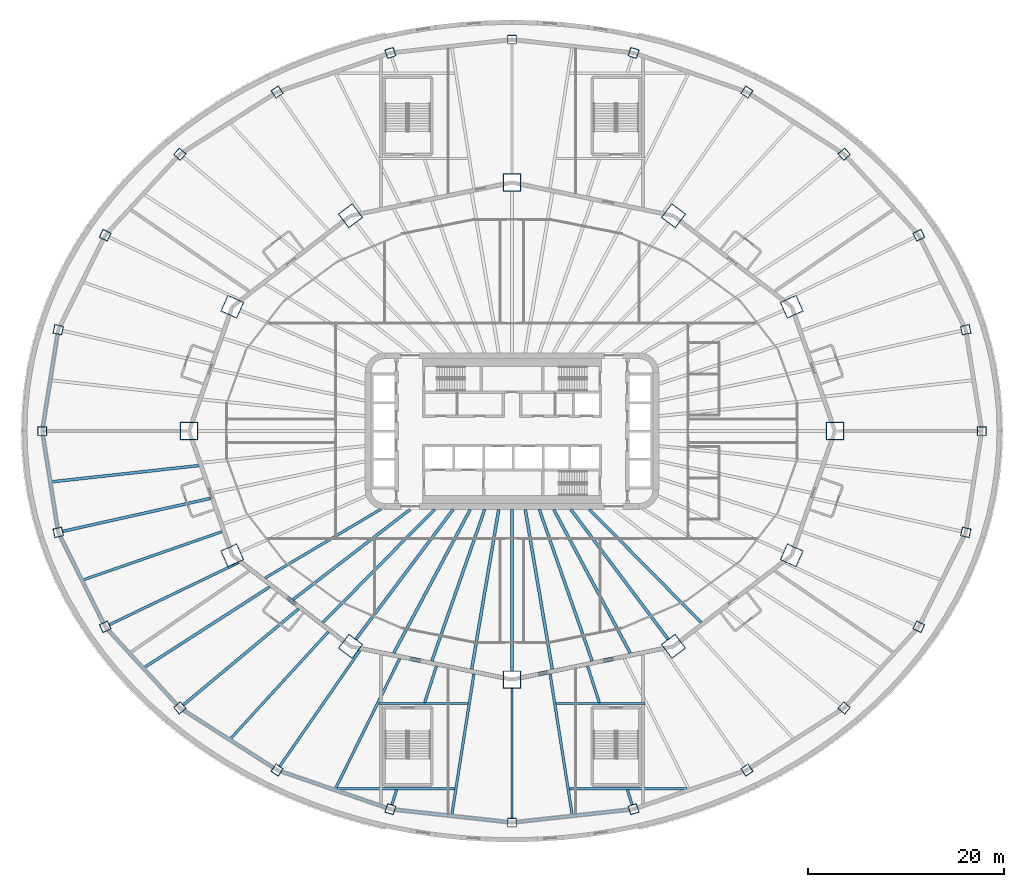
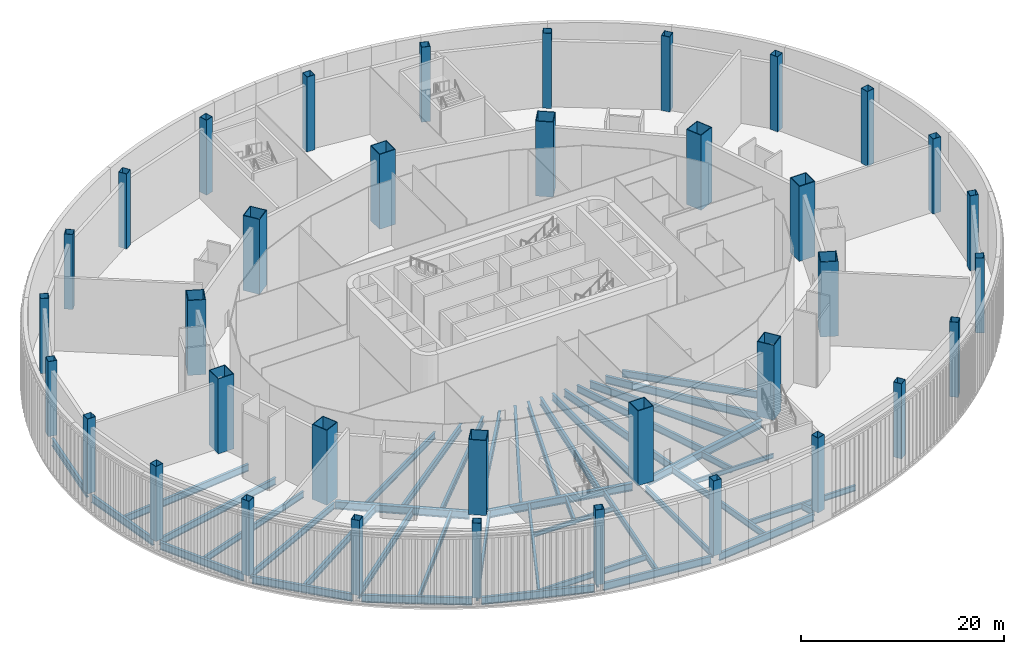
# One storey, part 1 of 35: 44 beams, 36 columns.
"""IFC4 building model written with IfcOpenShell, lengths in metres."""

from ifc_helpers import new_model, si_unit, direction, frame, origin, origin_2d, place, context, subcontext, project, spatial, hollow_rectangle, i_section, extrude, material, material_profile, profile_set, type_object, element, save


model = new_model("IFC4")

# Units and contexts
model_context = context("Model", 3, precision=1e-05, world=origin(), true_north=direction((0.0, 1.0)))
body_context = subcontext(model_context, "Body", "Model", "MODEL_VIEW")
ifc_project = project(units=[si_unit("LENGTHUNIT", "METRE"), si_unit("AREAUNIT", "SQUARE_METRE"), si_unit("VOLUMEUNIT", "CUBIC_METRE"), si_unit("PLANEANGLEUNIT", "RADIAN"), si_unit("MASSUNIT", "GRAM", prefix="KILO")], contexts=[model_context])

# Site, building, storey
site_placement = place(None, origin())
site = spatial("IfcSite", under=ifc_project, at=site_placement, CompositionType="ELEMENT")
building_placement = place(site_placement, origin())
building = spatial("IfcBuilding", under=site, at=building_placement, Name="Sahrelin Media Tower", CompositionType="ELEMENT")
storey_placement = place(building_placement, frame((0.0, 0.0, 8.0)))
storey = spatial("IfcBuildingStorey", under=building, at=storey_placement, Name="L01", CompositionType="ELEMENT", Elevation=8.0)

# Columns
ifc_material_1 = material(Name="Steel S460", Category="steel")
ifc_material_profile_1 = material_profile(ifc_material_1, hollow_rectangle(XDim=1.800048828125, YDim=1.800048828125, WallThickness=0.080078125, at=origin_2d()), Name="Mega column MC1")
ifc_profile_set_1 = profile_set([ifc_material_profile_1], Name="Steel S460")
column_type_1 = type_object("IfcColumnType", Name="Mega column MC1", PredefinedType="COLUMN", material=ifc_profile_set_1)
for number, where, z_axis, x_axis, name in (
    (1, (33.0, 0.0, 0.0), (0.0, 0.0, 1.0), (1.0, 0.0, 0.0), "Mega column MC-00"),
    (2, (28.578857421875, 12.699951171875, 0.0), (0.0, 0.0, 1.0), (0.913831317054, 0.40609398416, 0.0), "Mega column MC-01"),
    (3, (16.5, 21.9970703125, 0.0), (0.0, 0.0, 1.0), (0.600051693363, 0.799961227368, 0.0), "Mega column MC-02"),
    (4, (0.0, 25.39990234375, 0.0), (0.0, 0.0, 1.0), (0.0, 1.0, 0.0), "Mega column MC-03"),
    (5, (-16.5, 21.9970703125, 0.0), (0.0, 0.0, 1.0), (-0.600051693363, 0.799961227368, 0.0), "Mega column MC-04"),
    (6, (-28.578857421875, 12.699951171875, 0.0), (0.0, 0.0, 1.0), (-0.913831317054, 0.40609398416, 0.0), "Mega column MC-05"),
    (7, (-33.0, 0.0, 0.0), (0.0, 0.0, 1.0), (-1.0, 0.0, 0.0), "Mega column MC-06"),
    (8, (-28.578857421875, -12.699951171875, 0.0), (0.0, 0.0, 1.0), (-0.913831317054, -0.40609398416, 0.0), "Mega column MC-07"),
    (9, (-16.5, -21.9970703125, 0.0), (0.0, 0.0, 1.0), (-0.600051693363, -0.799961227368, 0.0), "Mega column MC-08"),
    (10, (0.0, -25.39990234375, 0.0), (0.0, 0.0, 1.0), (0.0, -1.0, 0.0), "Mega column MC-09"),
    (11, (16.5, -21.9970703125, 0.0), (0.0, 0.0, 1.0), (0.600051693363, -0.799961227368, 0.0), "Mega column MC-10"),
    (12, (28.578857421875, -12.699951171875, 0.0), (0.0, 0.0, 1.0), (0.913831317054, -0.40609398416, 0.0), "Mega column MC-11"),
):
    element("IfcColumn", number, at=place(storey_placement, frame(where, z_axis=z_axis, x_axis=x_axis)), inside=storey, type_object=column_type_1, Name=name, PredefinedType="COLUMN", context=body_context, shape_type="SweptSolid", body=[
        extrude(hollow_rectangle(XDim=1.800048828125, YDim=1.800048828125, WallThickness=0.080078125, at=origin_2d()), origin(), (0.0, 0.0, 1.0), 9.0),
    ])
ifc_material_profile_2 = material_profile(ifc_material_1, hollow_rectangle(XDim=0.89990234375, YDim=0.89990234375, WallThickness=0.0400390625, at=origin_2d()), Name="Podium column PC1")
ifc_profile_set_2 = profile_set([ifc_material_profile_2], Name="Steel S460")
column_type_2 = type_object("IfcColumnType", Name="Podium column PC1", PredefinedType="COLUMN", material=ifc_profile_set_2)
for number, where, z_axis, x_axis, name in (
    (13, (48.0, 0.0, 0.0), (0.0, 0.0, 1.0), (1.0, 0.0, 0.0), "Podium column PC-00"),
    (14, (46.364501953125, 10.352783203125, 0.0), (0.0, 0.0, 1.0), (0.975965471253, 0.217925214058, 0.0), "Podium column PC-01"),
    (15, (41.569091796875, 20.0, 0.0), (0.0, 0.0, 1.0), (0.901126969284, 0.433555285089, 0.0), "Podium column PC-02"),
    (16, (33.941162109375, 28.2841796875, 0.0), (0.0, 0.0, 1.0), (0.768220956602, 0.640184787259, 0.0), "Podium column PC-03"),
    (17, (24.0, 34.64111328125, 0.0), (0.0, 0.0, 1.0), (0.569494740726, 0.821994975827, 0.0), "Podium column PC-04"),
    (18, (12.42333984375, 38.636962890625, 0.0), (0.0, 0.0, 1.0), (0.306104074477, 0.951998054404, 0.0), "Podium column PC-05"),
    (19, (0.0, 40.0, 0.0), (0.0, 0.0, 1.0), (0.0, 1.0, 0.0), "Podium column PC-06"),
    (20, (-12.42333984375, 38.636962890625, 0.0), (0.0, 0.0, 1.0), (-0.306104074477, 0.951998054404, 0.0), "Podium column PC-07"),
    (21, (-24.0, 34.64111328125, 0.0), (0.0, 0.0, 1.0), (-0.569494740726, 0.821994975827, 0.0), "Podium column PC-08"),
    (22, (-33.941162109375, 28.2841796875, 0.0), (0.0, 0.0, 1.0), (-0.768220956602, 0.640184787259, 0.0), "Podium column PC-09"),
    (23, (-41.569091796875, 20.0, 0.0), (0.0, 0.0, 1.0), (-0.901126969284, 0.433555285089, 0.0), "Podium column PC-10"),
    (24, (-46.364501953125, 10.352783203125, 0.0), (0.0, 0.0, 1.0), (-0.975965471253, 0.217925214058, 0.0), "Podium column PC-11"),
    (25, (-48.0, 0.0, 0.0), (0.0, 0.0, 1.0), (-1.0, 0.0, 0.0), "Podium column PC-12"),
    (26, (-46.364501953125, -10.352783203125, 0.0), (0.0, 0.0, 1.0), (-0.975965471253, -0.217925214058, 0.0), "Podium column PC-13"),
    (27, (-41.569091796875, -20.0, 0.0), (0.0, 0.0, 1.0), (-0.901126969284, -0.433555285089, 0.0), "Podium column PC-14"),
    (28, (-33.941162109375, -28.2841796875, 0.0), (0.0, 0.0, 1.0), (-0.768220956602, -0.640184787259, 0.0), "Podium column PC-15"),
    (29, (-24.0, -34.64111328125, 0.0), (0.0, 0.0, 1.0), (-0.569494740726, -0.821994975827, 0.0), "Podium column PC-16"),
    (30, (-12.42333984375, -38.636962890625, 0.0), (0.0, 0.0, 1.0), (-0.306104074477, -0.951998054404, 0.0), "Podium column PC-17"),
    (31, (0.0, -40.0, 0.0), (0.0, 0.0, 1.0), (0.0, -1.0, 0.0), "Podium column PC-18"),
    (32, (12.42333984375, -38.636962890625, 0.0), (0.0, 0.0, 1.0), (0.306104074477, -0.951998054404, 0.0), "Podium column PC-19"),
    (33, (24.0, -34.64111328125, 0.0), (0.0, 0.0, 1.0), (0.569494740726, -0.821994975827, 0.0), "Podium column PC-20"),
    (34, (33.941162109375, -28.2841796875, 0.0), (0.0, 0.0, 1.0), (0.768220956602, -0.640184787259, 0.0), "Podium column PC-21"),
    (35, (41.569091796875, -20.0, 0.0), (0.0, 0.0, 1.0), (0.901126969284, -0.433555285089, 0.0), "Podium column PC-22"),
    (36, (46.364501953125, -10.352783203125, 0.0), (0.0, 0.0, 1.0), (0.975965471253, -0.217925214058, 0.0), "Podium column PC-23"),
):
    element("IfcColumn", number, at=place(storey_placement, frame(where, z_axis=z_axis, x_axis=x_axis)), inside=storey, type_object=column_type_2, Name=name, PredefinedType="COLUMN", context=body_context, shape_type="SweptSolid", body=[
        extrude(hollow_rectangle(XDim=0.89990234375, YDim=0.89990234375, WallThickness=0.0400390625, at=origin_2d()), origin(), (0.0, 0.0, 1.0), 9.0),
    ])

# Beams
ifc_material_2 = material(Name="Steel S355", Category="steel")
ifc_material_profile_3 = material_profile(ifc_material_2, i_section(OverallWidth=0.208740234375, OverallDepth=0.5283203125, WebThickness=0.009521484375, FlangeThickness=0.01318359375, FilletRadius=0.0126953125, at=origin_2d()), Name="UB 533x210x82")
ifc_profile_set_3 = profile_set([ifc_material_profile_3], Name="Steel S355")
beam_type_1 = type_object("IfcBeamType", Name="Header beam HB6", PredefinedType="BEAM", material=ifc_profile_set_3)
for number, where, z_axis, x_axis, name in (
    (37, (-13.59814453125, -27.85009765625, -0.464111328125), (1.0, 0.0, 0.0), (0.0, 1.0, 0.0), "Header beam L01-05"),
    (38, (4.50146484375, -27.85009765625, -0.464111328125), (1.0, 0.0, 0.0), (0.0, 1.0, 0.0), "Header beam L01-07"),
):
    element("IfcBeam", number, at=place(storey_placement, frame(where, z_axis=z_axis, x_axis=x_axis)), inside=storey, type_object=beam_type_1, Name=name, PredefinedType="BEAM", context=body_context, shape_type="SweptSolid", body=[
        extrude(i_section(OverallWidth=0.208740234375, OverallDepth=0.5283203125, WebThickness=0.009521484375, FlangeThickness=0.01318359375, FilletRadius=0.0126953125, at=origin_2d()), origin(), (0.0, 0.0, 1.0), 9.0966796875),
    ])
ifc_material_profile_4 = material_profile(ifc_material_2, i_section(OverallWidth=0.2529296875, OverallDepth=0.677978515625, WebThickness=0.01171875, FlangeThickness=0.01611328125, FilletRadius=0.01513671875, at=origin_2d()), Name="UB 686x254x125")
ifc_profile_set_4 = profile_set([ifc_material_profile_4], Name="Steel S355")
beam_type_2 = type_object("IfcBeamType", Name="Header beam HB8", PredefinedType="BEAM", material=ifc_profile_set_4)
for number, where, z_axis, x_axis, name in (
    (39, (-5.86572265625, -36.550048828125, -0.538818359375), (-1.0, 0.0, 0.0), (0.0, -1.0, 0.0), "Header beam L01-06"),
    (40, (17.892333984375, -36.550048828125, -0.538818359375), (-1.0, 0.0, 0.0), (0.0, -1.0, 0.0), "Header beam L01-08"),
):
    element("IfcBeam", number, at=place(storey_placement, frame(where, z_axis=z_axis, x_axis=x_axis)), inside=storey, type_object=beam_type_2, Name=name, PredefinedType="BEAM", context=body_context, shape_type="SweptSolid", body=[
        extrude(i_section(OverallWidth=0.2529296875, OverallDepth=0.677978515625, WebThickness=0.01171875, FlangeThickness=0.01611328125, FilletRadius=0.01513671875, at=origin_2d()), origin(), (0.0, 0.0, 1.0), 12.026611328125),
    ])
ifc_material_profile_5 = material_profile(ifc_material_2, i_section(OverallWidth=0.30322265625, OverallDepth=0.903076171875, WebThickness=0.01513671875, FlangeThickness=0.020263671875, FilletRadius=0.01904296875, at=origin_2d()), Name="UB 914x305x201")
ifc_profile_set_5 = profile_set([ifc_material_profile_5], Name="Steel S355")
beam_type_3 = type_object("IfcBeamType", Name="Podium edge girder PE11", PredefinedType="BEAM", material=ifc_profile_set_5)
for number, where, z_axis, x_axis, name in (
    (41, (-46.434814453125, 9.907470703125, -0.651611328125), (-0.156048991104, -0.987749316565, 0.0), (0.987749316565, -0.156048991104, 0.0), "Podium edge girder L01-12"),
    (42, (-47.928955078125, -0.449951171875, -0.651611328125), (0.156048991104, -0.987749316565, 0.0), (0.987749316565, 0.156048991104, 0.0), "Podium edge girder L01-13"),
):
    element("IfcBeam", number, at=place(storey_placement, frame(where, z_axis=z_axis, x_axis=x_axis)), inside=storey, type_object=beam_type_3, Name=name, PredefinedType="BEAM", context=body_context, shape_type="SweptSolid", body=[
        extrude(i_section(OverallWidth=0.30322265625, OverallDepth=0.903076171875, WebThickness=0.01513671875, FlangeThickness=0.020263671875, FilletRadius=0.01904296875, at=origin_2d()), origin(), (0.0, 0.0, 1.0), 9.57470703125),
    ])
beam_1_placement = place(storey_placement, frame((-46.158203125, -10.767822265625, -0.651611328125), z_axis=(0.445112588569, -0.895474613541, 0.0), x_axis=(0.895474613541, 0.445112588569, 0.0)))
element("IfcBeam", 43, at=beam_1_placement, inside=storey, type_object=beam_type_3, Name="Podium edge girder L01-14", PredefinedType="BEAM", context=body_context, shape_type="SweptSolid", body=[
    extrude(i_section(OverallWidth=0.30322265625, OverallDepth=0.903076171875, WebThickness=0.01513671875, FlangeThickness=0.020263671875, FilletRadius=0.01904296875, at=origin_2d()), origin(), (0.0, 0.0, 1.0), 9.859619140625),
])
beam_2_placement = place(storey_placement, frame((-41.25048828125, -20.34619140625, -0.651611328125), z_axis=(0.677370529771, -0.735642008995, 0.0), x_axis=(0.735642008995, 0.677370529771, 0.0)))
element("IfcBeam", 44, at=beam_2_placement, inside=storey, type_object=beam_type_3, Name="Podium edge girder L01-15", PredefinedType="BEAM", context=body_context, shape_type="SweptSolid", body=[
    extrude(i_section(OverallWidth=0.30322265625, OverallDepth=0.903076171875, WebThickness=0.01513671875, FlangeThickness=0.020263671875, FilletRadius=0.01904296875, at=origin_2d()), origin(), (0.0, 0.0, 1.0), 10.340087890625),
])
beam_3_placement = place(storey_placement, frame((-33.54345703125, -28.53857421875, -0.651611328125), z_axis=(0.842485743715, -0.538718638657, 0.0), x_axis=(0.538718638657, 0.842485743715, 0.0)))
element("IfcBeam", 45, at=beam_3_placement, inside=storey, type_object=beam_type_3, Name="Podium edge girder L01-16", PredefinedType="BEAM", context=body_context, shape_type="SweptSolid", body=[
    extrude(i_section(OverallWidth=0.30322265625, OverallDepth=0.903076171875, WebThickness=0.01513671875, FlangeThickness=0.020263671875, FilletRadius=0.01904296875, at=origin_2d()), origin(), (0.0, 0.0, 1.0), 10.87744140625),
])
beam_4_placement = place(storey_placement, frame((-23.55810546875, -34.79345703125, -0.651611328125), z_axis=(0.94527240249, -0.32628221694, 0.0), x_axis=(0.32628221694, 0.94527240249, 0.0)))
element("IfcBeam", 46, at=beam_4_placement, inside=storey, type_object=beam_type_3, Name="Podium edge girder L01-17", PredefinedType="BEAM", context=body_context, shape_type="SweptSolid", body=[
    extrude(i_section(OverallWidth=0.30322265625, OverallDepth=0.903076171875, WebThickness=0.01513671875, FlangeThickness=0.020263671875, FilletRadius=0.01904296875, at=origin_2d()), origin(), (0.0, 0.0, 1.0), 11.329345703125),
])
for number, where, z_axis, x_axis, name in (
    (47, (-11.966796875, -38.68701171875, -0.651611328125), (0.994034160473, -0.109069188193, 0.0), (0.109069188193, 0.994034160473, 0.0), "Podium edge girder L01-18"),
    (48, (0.449951171875, -39.95068359375, -0.651611328125), (0.994034160473, 0.109069188193, 0.0), (-0.109069188193, 0.994034160473, 0.0), "Podium edge girder L01-19"),
):
    element("IfcBeam", number, at=place(storey_placement, frame(where, z_axis=z_axis, x_axis=x_axis)), inside=storey, type_object=beam_type_3, Name=name, PredefinedType="BEAM", context=body_context, shape_type="SweptSolid", body=[
        extrude(i_section(OverallWidth=0.30322265625, OverallDepth=0.903076171875, WebThickness=0.01513671875, FlangeThickness=0.020263671875, FilletRadius=0.01904296875, at=origin_2d()), origin(), (0.0, 0.0, 1.0), 11.5859375),
    ])
ifc_material_profile_6 = material_profile(ifc_material_2, i_section(OverallWidth=0.41845703125, OverallDepth=0.911865234375, WebThickness=0.019287109375, FlangeThickness=0.031982421875, FilletRadius=0.024169921875, at=origin_2d()), Name="UB 914x419x343")
ifc_profile_set_6 = profile_set([ifc_material_profile_6], Name="Steel S355")
beam_type_4 = type_object("IfcBeamType", Name="Podium ring girder PG12", PredefinedType="BEAM", material=ifc_profile_set_6)
beam_5_placement = place(storey_placement, frame((-27.767578125, -13.324462890625, -0.656005859375), z_axis=(0.792445416108, -0.609942835428, 0.0), x_axis=(0.609942835428, 0.792445416108, 0.0)))
element("IfcBeam", 49, at=beam_5_placement, inside=storey, type_object=beam_type_4, Name="Podium girder L01-08", PredefinedType="BEAM", context=body_context, shape_type="SweptSolid", body=[
    extrude(i_section(OverallWidth=0.41845703125, OverallDepth=0.911865234375, WebThickness=0.019287109375, FlangeThickness=0.031982421875, FilletRadius=0.024169921875, at=origin_2d()), origin(), (0.0, 0.0, 1.0), 13.318603515625),
])
for number, where, z_axis, x_axis, name in (
    (50, (-15.525634765625, -22.197998046875, -0.656005859375), (0.979388513106, -0.201985495508, 0.0), (0.201985495508, 0.979388513106, 0.0), "Podium girder L01-09"),
    (51, (0.89990234375, -25.21435546875, -0.656005859375), (0.979388513106, 0.201985495508, 0.0), (-0.201985495508, 0.979388513106, 0.0), "Podium girder L01-10"),
):
    element("IfcBeam", number, at=place(storey_placement, frame(where, z_axis=z_axis, x_axis=x_axis)), inside=storey, type_object=beam_type_4, Name=name, PredefinedType="BEAM", context=body_context, shape_type="SweptSolid", body=[
        extrude(i_section(OverallWidth=0.41845703125, OverallDepth=0.911865234375, WebThickness=0.019287109375, FlangeThickness=0.031982421875, FilletRadius=0.024169921875, at=origin_2d()), origin(), (0.0, 0.0, 1.0), 14.93359375),
    ])
ifc_material_profile_7 = material_profile(ifc_material_2, i_section(OverallWidth=0.291748046875, OverallDepth=0.8349609375, WebThickness=0.013916015625, FlangeThickness=0.018798828125, FilletRadius=0.017822265625, at=origin_2d()), Name="UB 838x292x176")
ifc_profile_set_7 = profile_set([ifc_material_profile_7], Name="Steel S355")
beam_type_5 = type_object("IfcBeamType", Name="Radial primary beam PB10", PredefinedType="BEAM", material=ifc_profile_set_7)
beam_6_placement = place(storey_placement, frame((-10.393798828125, -8.0, -0.617431640625), z_axis=(-0.79244196099, -0.609947324335, 0.0), x_axis=(0.609947324335, -0.79244196099, 0.0)))
element("IfcBeam", 52, at=beam_6_placement, inside=storey, type_object=beam_type_5, Name="Radial beam L01-16", PredefinedType="BEAM", context=body_context, shape_type="SweptSolid", body=[
    extrude(i_section(OverallWidth=0.291748046875, OverallDepth=0.8349609375, WebThickness=0.013916015625, FlangeThickness=0.018798828125, FilletRadius=0.017822265625, at=origin_2d()), origin(), (0.0, 0.0, 1.0), 15.1103515625),
])
beam_7_placement = place(storey_placement, frame((-2.784912109375, -8.0, -0.617431640625), z_axis=(-0.328776215552, -0.944407856854, 0.0), x_axis=(0.944407856854, -0.328776215552, 0.0)))
element("IfcBeam", 53, at=beam_7_placement, inside=storey, type_object=beam_type_5, Name="Radial beam L01-18", PredefinedType="BEAM", context=body_context, shape_type="SweptSolid", body=[
    extrude(i_section(OverallWidth=0.291748046875, OverallDepth=0.8349609375, WebThickness=0.013916015625, FlangeThickness=0.018798828125, FilletRadius=0.017822265625, at=origin_2d()), origin(), (0.0, 0.0, 1.0), 16.41162109375),
])
beam_8_placement = place(storey_placement, frame((0.0, -8.0, -0.617431640625), z_axis=(0.0, -1.0, 0.0), x_axis=(1.0, 0.0, 0.0)))
element("IfcBeam", 54, at=beam_8_placement, inside=storey, type_object=beam_type_5, Name="Radial beam L01-19", PredefinedType="BEAM", context=body_context, shape_type="SweptSolid", body=[
    extrude(i_section(OverallWidth=0.291748046875, OverallDepth=0.8349609375, WebThickness=0.013916015625, FlangeThickness=0.018798828125, FilletRadius=0.017822265625, at=origin_2d()), origin(), (0.0, 0.0, 1.0), 16.5),
])
beam_9_placement = place(storey_placement, frame((2.784912109375, -8.0, -0.617431640625), z_axis=(0.328776215552, -0.944407856854, 0.0), x_axis=(0.944407856854, 0.328776215552, 0.0)))
element("IfcBeam", 55, at=beam_9_placement, inside=storey, type_object=beam_type_5, Name="Radial beam L01-20", PredefinedType="BEAM", context=body_context, shape_type="SweptSolid", body=[
    extrude(i_section(OverallWidth=0.291748046875, OverallDepth=0.8349609375, WebThickness=0.013916015625, FlangeThickness=0.018798828125, FilletRadius=0.017822265625, at=origin_2d()), origin(), (0.0, 0.0, 1.0), 16.41162109375),
])
beam_10_placement = place(storey_placement, frame((-30.825439453125, -6.883056640625, -0.617431640625), z_axis=(-0.975966755314, -0.217919463385, 0.0), x_axis=(0.217919463385, -0.975966755314, 0.0)))
element("IfcBeam", 56, at=beam_10_placement, inside=storey, type_object=beam_type_5, Name="Radial beam L01-16", PredefinedType="BEAM", context=body_context, shape_type="SweptSolid", body=[
    extrude(i_section(OverallWidth=0.291748046875, OverallDepth=0.8349609375, WebThickness=0.013916015625, FlangeThickness=0.018798828125, FilletRadius=0.017822265625, at=origin_2d()), origin(), (0.0, 0.0, 1.0), 15.4716796875),
])
beam_11_placement = place(storey_placement, frame((-21.809326171875, -18.174560546875, -0.617431640625), z_axis=(-0.768229105739, -0.640175008178, 0.0), x_axis=(0.640175008178, -0.768229105739, 0.0)))
element("IfcBeam", 57, at=beam_11_placement, inside=storey, type_object=beam_type_5, Name="Radial beam L01-18", PredefinedType="BEAM", context=body_context, shape_type="SweptSolid", body=[
    extrude(i_section(OverallWidth=0.291748046875, OverallDepth=0.8349609375, WebThickness=0.013916015625, FlangeThickness=0.018798828125, FilletRadius=0.017822265625, at=origin_2d()), origin(), (0.0, 0.0, 1.0), 15.342041015625),
])
ifc_material_profile_8 = material_profile(ifc_material_2, i_section(OverallWidth=0.30322265625, OverallDepth=0.903076171875, WebThickness=0.01513671875, FlangeThickness=0.020263671875, FilletRadius=0.01904296875, at=origin_2d()), Name="UB 914x305x201")
ifc_profile_set_8 = profile_set([ifc_material_profile_8], Name="Steel S355")
beam_type_6 = type_object("IfcBeamType", Name="Radial primary beam PB11", PredefinedType="BEAM", material=ifc_profile_set_8)
for number, where, z_axis, x_axis, name in (
    (58, (-6.000732421875, -8.0, -0.651611328125), (-0.600054130443, -0.799959399306, 0.0), (0.799959399306, -0.600054130443, 0.0), "Radial beam L01-17"),
    (59, (6.000732421875, -8.0, -0.651611328125), (0.600054130443, -0.799959399306, 0.0), (0.799959399306, 0.600054130443, 0.0), "Radial beam L01-21"),
):
    element("IfcBeam", number, at=place(storey_placement, frame(where, z_axis=z_axis, x_axis=x_axis)), inside=storey, type_object=beam_type_6, Name=name, PredefinedType="BEAM", context=body_context, shape_type="SweptSolid", body=[
        extrude(i_section(OverallWidth=0.30322265625, OverallDepth=0.903076171875, WebThickness=0.01513671875, FlangeThickness=0.020263671875, FilletRadius=0.01904296875, at=origin_2d()), origin(), (0.0, 0.0, 1.0), 16.59716796875),
    ])
ifc_material_profile_9 = material_profile(ifc_material_2, i_section(OverallWidth=0.2529296875, OverallDepth=0.677978515625, WebThickness=0.01171875, FlangeThickness=0.01611328125, FilletRadius=0.01513671875, at=origin_2d()), Name="UB 686x254x125")
ifc_profile_set_9 = profile_set([ifc_material_profile_9], Name="Steel S355")
beam_type_7 = type_object("IfcBeamType", Name="Radial primary beam PB8", PredefinedType="BEAM", material=ifc_profile_set_9)
beam_12_placement = place(storey_placement, frame((0.0, -26.300048828125, -0.538818359375), z_axis=(0.0, -1.0, 0.0), x_axis=(1.0, 0.0, 0.0)))
element("IfcBeam", 60, at=beam_12_placement, inside=storey, type_object=beam_type_7, Name="Radial beam L01-22", PredefinedType="BEAM", context=body_context, shape_type="SweptSolid", body=[
    extrude(i_section(OverallWidth=0.2529296875, OverallDepth=0.677978515625, WebThickness=0.01171875, FlangeThickness=0.01611328125, FilletRadius=0.01513671875, at=origin_2d()), origin(), (0.0, 0.0, 1.0), 13.25),
])
ifc_material_profile_10 = material_profile(ifc_material_2, i_section(OverallWidth=0.26513671875, OverallDepth=0.75390625, WebThickness=0.0126953125, FlangeThickness=0.017578125, FilletRadius=0.0166015625, at=origin_2d()), Name="UB 762x267x147")
ifc_profile_set_10 = profile_set([ifc_material_profile_10], Name="Steel S355")
beam_type_8 = type_object("IfcBeamType", Name="Radial primary beam PB9", PredefinedType="BEAM", material=ifc_profile_set_10)
beam_13_placement = place(storey_placement, frame((-27.950439453125, -13.44775390625, -0.576904296875), z_axis=(-0.901130102072, -0.433548773657, 0.0), x_axis=(0.433548773657, -0.901130102072, 0.0)))
element("IfcBeam", 61, at=beam_13_placement, inside=storey, type_object=beam_type_8, Name="Radial beam L01-17", PredefinedType="BEAM", context=body_context, shape_type="SweptSolid", body=[
    extrude(i_section(OverallWidth=0.26513671875, OverallDepth=0.75390625, WebThickness=0.0126953125, FlangeThickness=0.017578125, FilletRadius=0.0166015625, at=origin_2d()), origin(), (0.0, 0.0, 1.0), 14.6630859375),
])
beam_14_placement = place(storey_placement, frame((-15.527099609375, -22.411376953125, -0.576904296875), z_axis=(-0.569493278726, -0.821995988729, 0.0), x_axis=(0.821995988729, -0.569493278726, 0.0)))
element("IfcBeam", 62, at=beam_14_placement, inside=storey, type_object=beam_type_8, Name="Radial beam L01-19", PredefinedType="BEAM", context=body_context, shape_type="SweptSolid", body=[
    extrude(i_section(OverallWidth=0.26513671875, OverallDepth=0.75390625, WebThickness=0.0126953125, FlangeThickness=0.017578125, FilletRadius=0.0166015625, at=origin_2d()), origin(), (0.0, 0.0, 1.0), 14.427734375),
])
beam_15_placement = place(storey_placement, frame((-7.7236328125, -24.020751953125, -0.576904296875), z_axis=(-0.30607575523, -0.952007159669, 0.0), x_axis=(0.952007159669, -0.30607575523, 0.0)))
element("IfcBeam", 63, at=beam_15_placement, inside=storey, type_object=beam_type_8, Name="Radial beam L01-20", PredefinedType="BEAM", context=body_context, shape_type="SweptSolid", body=[
    extrude(i_section(OverallWidth=0.26513671875, OverallDepth=0.75390625, WebThickness=0.0126953125, FlangeThickness=0.017578125, FilletRadius=0.0166015625, at=origin_2d()), origin(), (0.0, 0.0, 1.0), 3.917236328125),
])
beam_16_placement = place(storey_placement, frame((-11.784423828125, -36.64990234375, -0.576904296875), z_axis=(-0.306144333921, -0.951985108501, 0.0), x_axis=(0.951985108501, -0.306144333921, 0.0)))
element("IfcBeam", 64, at=beam_16_placement, inside=storey, type_object=beam_type_8, Name="Radial beam L01-21", PredefinedType="BEAM", context=body_context, shape_type="SweptSolid", body=[
    extrude(i_section(OverallWidth=0.26513671875, OverallDepth=0.75390625, WebThickness=0.0126953125, FlangeThickness=0.017578125, FilletRadius=0.0166015625, at=origin_2d()), origin(), (0.0, 0.0, 1.0), 1.63720703125),
])
beam_17_placement = place(storey_placement, frame((7.7236328125, -24.020751953125, -0.576904296875), z_axis=(0.30607575523, -0.952007159669, 0.0), x_axis=(0.952007159669, 0.30607575523, 0.0)))
element("IfcBeam", 65, at=beam_17_placement, inside=storey, type_object=beam_type_8, Name="Radial beam L01-23", PredefinedType="BEAM", context=body_context, shape_type="SweptSolid", body=[
    extrude(i_section(OverallWidth=0.26513671875, OverallDepth=0.75390625, WebThickness=0.0126953125, FlangeThickness=0.017578125, FilletRadius=0.0166015625, at=origin_2d()), origin(), (0.0, 0.0, 1.0), 3.917236328125),
])
beam_18_placement = place(storey_placement, frame((11.784423828125, -36.64990234375, -0.576904296875), z_axis=(0.306144333921, -0.951985108501, 0.0), x_axis=(0.951985108501, 0.306144333921, 0.0)))
element("IfcBeam", 66, at=beam_18_placement, inside=storey, type_object=beam_type_8, Name="Radial beam L01-24", PredefinedType="BEAM", context=body_context, shape_type="SweptSolid", body=[
    extrude(i_section(OverallWidth=0.26513671875, OverallDepth=0.75390625, WebThickness=0.0126953125, FlangeThickness=0.017578125, FilletRadius=0.0166015625, at=origin_2d()), origin(), (0.0, 0.0, 1.0), 1.63720703125),
])
ifc_material_profile_11 = material_profile(ifc_material_2, i_section(OverallWidth=0.291748046875, OverallDepth=0.8349609375, WebThickness=0.013916015625, FlangeThickness=0.018798828125, FilletRadius=0.017822265625, at=origin_2d()), Name="UB 838x292x176")
ifc_profile_set_11 = profile_set([ifc_material_profile_11], Name="Steel S355")
beam_type_9 = type_object("IfcBeamType", Name="Radial secondary beam SB10", PredefinedType="BEAM", material=ifc_profile_set_11)
for number, where, z_axis, x_axis, name in (
    (67, (-7.901123046875, -8.0, -0.617431640625), (-0.702706329063, -0.711480017355, 0.0), (0.711480017355, -0.702706329063, 0.0), "Secondary beam L01-16"),
    (68, (7.901123046875, -8.0, -0.617431640625), (0.702706329063, -0.711480017355, 0.0), (0.711480017355, 0.702706329063, 0.0), "Secondary beam L01-21"),
):
    element("IfcBeam", number, at=place(storey_placement, frame(where, z_axis=z_axis, x_axis=x_axis)), inside=storey, type_object=beam_type_9, Name=name, PredefinedType="BEAM", context=body_context, shape_type="SweptSolid", body=[
        extrude(i_section(OverallWidth=0.291748046875, OverallDepth=0.8349609375, WebThickness=0.013916015625, FlangeThickness=0.018798828125, FilletRadius=0.017822265625, at=origin_2d()), origin(), (0.0, 0.0, 1.0), 16.250732421875),
    ])
beam_19_placement = place(storey_placement, frame((-31.9931640625, -3.528564453125, -0.617431640625), z_axis=(-0.993973950123, -0.109616542901, 0.0), x_axis=(0.109616542901, -0.993973950123, 0.0)))
element("IfcBeam", 69, at=beam_19_placement, inside=storey, type_object=beam_type_9, Name="Secondary beam L01-13", PredefinedType="BEAM", context=body_context, shape_type="SweptSolid", body=[
    extrude(i_section(OverallWidth=0.291748046875, OverallDepth=0.8349609375, WebThickness=0.013916015625, FlangeThickness=0.018798828125, FilletRadius=0.017822265625, at=origin_2d()), origin(), (0.0, 0.0, 1.0), 15.125),
])
beam_20_placement = place(storey_placement, frame((-24.744140625, -15.91552734375, -0.617431640625), z_axis=(-0.84104292767, -0.540968385228, 0.0), x_axis=(0.540968385228, -0.84104292767, 0.0)))
element("IfcBeam", 70, at=beam_20_placement, inside=storey, type_object=beam_type_9, Name="Secondary beam L01-15", PredefinedType="BEAM", context=body_context, shape_type="SweptSolid", body=[
    extrude(i_section(OverallWidth=0.291748046875, OverallDepth=0.8349609375, WebThickness=0.013916015625, FlangeThickness=0.018798828125, FilletRadius=0.017822265625, at=origin_2d()), origin(), (0.0, 0.0, 1.0), 15.218505859375),
])
ifc_material_profile_12 = material_profile(ifc_material_2, i_section(OverallWidth=0.30322265625, OverallDepth=0.903076171875, WebThickness=0.01513671875, FlangeThickness=0.020263671875, FilletRadius=0.01904296875, at=origin_2d()), Name="UB 914x305x201")
ifc_profile_set_12 = profile_set([ifc_material_profile_12], Name="Steel S355")
beam_type_10 = type_object("IfcBeamType", Name="Radial secondary beam SB11", PredefinedType="BEAM", material=ifc_profile_set_12)
beam_21_placement = place(storey_placement, frame((-4.259765625, -8.0, -0.651611328125), z_axis=(-0.469997453325, -0.882667770947, 0.0), x_axis=(0.882667770947, -0.469997453325, 0.0)))
element("IfcBeam", 71, at=beam_21_placement, inside=storey, type_object=beam_type_10, Name="Secondary beam L01-17", PredefinedType="BEAM", context=body_context, shape_type="SweptSolid", body=[
    extrude(i_section(OverallWidth=0.30322265625, OverallDepth=0.903076171875, WebThickness=0.01513671875, FlangeThickness=0.020263671875, FilletRadius=0.01904296875, at=origin_2d()), origin(), (0.0, 0.0, 1.0), 16.6474609375),
])
for number, where, z_axis, x_axis, name in (
    (72, (-1.352783203125, -8.0, -0.651611328125), (-0.166704262426, -0.986006941603, 0.0), (0.986006941603, -0.166704262426, 0.0), "Secondary beam L01-18"),
    (73, (1.352783203125, -8.0, -0.651611328125), (0.166704262426, -0.986006941603, 0.0), (0.986006941603, 0.166704262426, 0.0), "Secondary beam L01-19"),
):
    element("IfcBeam", number, at=place(storey_placement, frame(where, z_axis=z_axis, x_axis=x_axis)), inside=storey, type_object=beam_type_10, Name=name, PredefinedType="BEAM", context=body_context, shape_type="SweptSolid", body=[
        extrude(i_section(OverallWidth=0.30322265625, OverallDepth=0.903076171875, WebThickness=0.01513671875, FlangeThickness=0.020263671875, FilletRadius=0.01904296875, at=origin_2d()), origin(), (0.0, 0.0, 1.0), 16.569580078125),
    ])
beam_22_placement = place(storey_placement, frame((4.259765625, -8.0, -0.651611328125), z_axis=(0.469997453325, -0.882667770947, 0.0), x_axis=(0.882667770947, 0.469997453325, 0.0)))
element("IfcBeam", 74, at=beam_22_placement, inside=storey, type_object=beam_type_10, Name="Secondary beam L01-20", PredefinedType="BEAM", context=body_context, shape_type="SweptSolid", body=[
    extrude(i_section(OverallWidth=0.30322265625, OverallDepth=0.903076171875, WebThickness=0.01513671875, FlangeThickness=0.020263671875, FilletRadius=0.01904296875, at=origin_2d()), origin(), (0.0, 0.0, 1.0), 16.6474609375),
])
ifc_material_profile_13 = material_profile(ifc_material_2, i_section(OverallWidth=0.26513671875, OverallDepth=0.75390625, WebThickness=0.0126953125, FlangeThickness=0.017578125, FilletRadius=0.0166015625, at=origin_2d()), Name="UB 762x267x147")
ifc_profile_set_13 = profile_set([ifc_material_profile_13], Name="Steel S355")
beam_type_11 = type_object("IfcBeamType", Name="Radial secondary beam SB9", PredefinedType="BEAM", material=ifc_profile_set_13)
beam_23_placement = place(storey_placement, frame((-13.356201171875, -7.953125, -0.576904296875), z_axis=(-0.859199265621, -0.511641106594, 0.0), x_axis=(0.511641106594, -0.859199265621, 0.0)))
element("IfcBeam", 75, at=beam_23_placement, inside=storey, type_object=beam_type_11, Name="Secondary beam L01-15", PredefinedType="BEAM", context=body_context, shape_type="SweptSolid", body=[
    extrude(i_section(OverallWidth=0.26513671875, OverallDepth=0.75390625, WebThickness=0.0126953125, FlangeThickness=0.017578125, FilletRadius=0.0166015625, at=origin_2d()), origin(), (0.0, 0.0, 1.0), 13.810791015625),
])
beam_24_placement = place(storey_placement, frame((-29.640380859375, -10.287109375, -0.576904296875), z_axis=(-0.944713020182, -0.32789832189, 0.0), x_axis=(0.32789832189, -0.944713020182, 0.0)))
element("IfcBeam", 76, at=beam_24_placement, inside=storey, type_object=beam_type_11, Name="Secondary beam L01-14", PredefinedType="BEAM", context=body_context, shape_type="SweptSolid", body=[
    extrude(i_section(OverallWidth=0.26513671875, OverallDepth=0.75390625, WebThickness=0.0126953125, FlangeThickness=0.017578125, FilletRadius=0.0166015625, at=origin_2d()), origin(), (0.0, 0.0, 1.0), 14.974609375),
])
beam_25_placement = place(storey_placement, frame((-18.7685546875, -20.514892578125, -0.576904296875), z_axis=(-0.675004282666, -0.737813810106, 0.0), x_axis=(0.737813810106, -0.675004282666, 0.0)))
element("IfcBeam", 77, at=beam_25_placement, inside=storey, type_object=beam_type_11, Name="Secondary beam L01-16", PredefinedType="BEAM", context=body_context, shape_type="SweptSolid", body=[
    extrude(i_section(OverallWidth=0.26513671875, OverallDepth=0.75390625, WebThickness=0.0126953125, FlangeThickness=0.017578125, FilletRadius=0.0166015625, at=origin_2d()), origin(), (0.0, 0.0, 1.0), 14.7861328125),
])
beam_26_placement = place(storey_placement, frame((-11.47412109375, -23.247314453125, -0.576904296875), z_axis=(-0.442602611298, -0.896717864477, 0.0), x_axis=(0.896717864477, -0.442602611298, 0.0)))
element("IfcBeam", 78, at=beam_26_placement, inside=storey, type_object=beam_type_11, Name="Secondary beam L01-17", PredefinedType="BEAM", context=body_context, shape_type="SweptSolid", body=[
    extrude(i_section(OverallWidth=0.26513671875, OverallDepth=0.75390625, WebThickness=0.0126953125, FlangeThickness=0.017578125, FilletRadius=0.0166015625, at=origin_2d()), origin(), (0.0, 0.0, 1.0), 14.8232421875),
])
for number, where, z_axis, x_axis, name in (
    (79, (-3.890869140625, -24.811279296875, -0.576904296875), (-0.154919883605, -0.987927036609, 0.0), (0.987927036609, -0.154919883605, 0.0), "Secondary beam L01-18"),
    (80, (3.890869140625, -24.811279296875, -0.576904296875), (0.154919883605, -0.987927036609, 0.0), (0.987927036609, 0.154919883605, 0.0), "Secondary beam L01-19"),
):
    element("IfcBeam", number, at=place(storey_placement, frame(where, z_axis=z_axis, x_axis=x_axis)), inside=storey, type_object=beam_type_11, Name=name, PredefinedType="BEAM", context=body_context, shape_type="SweptSolid", body=[
        extrude(i_section(OverallWidth=0.26513671875, OverallDepth=0.75390625, WebThickness=0.0126953125, FlangeThickness=0.017578125, FilletRadius=0.0166015625, at=origin_2d()), origin(), (0.0, 0.0, 1.0), 14.537841796875),
    ])

save(model, "model.ifc")
